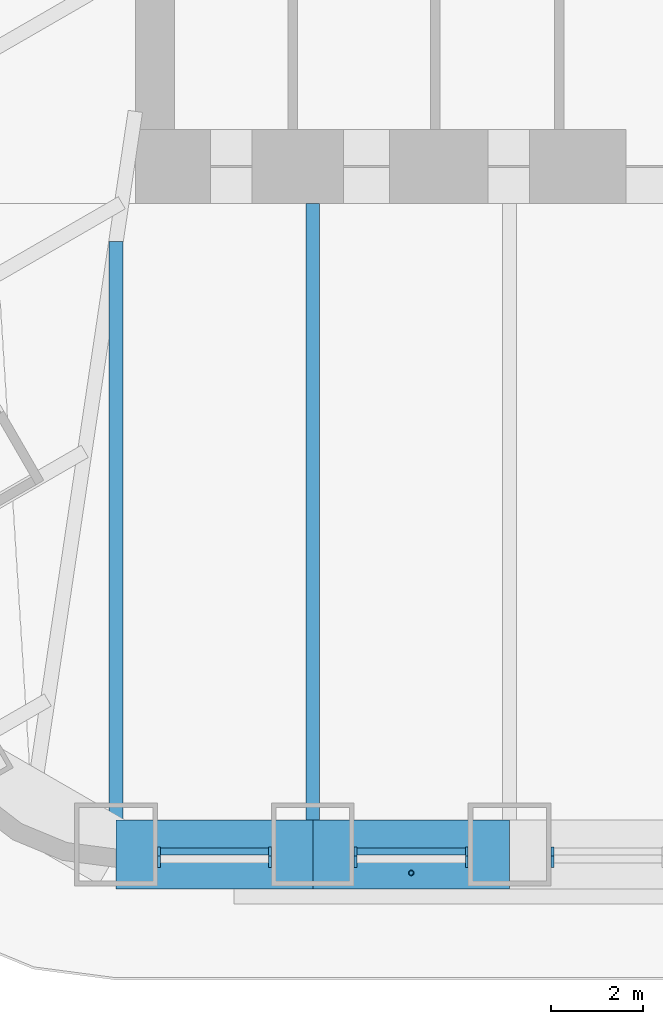
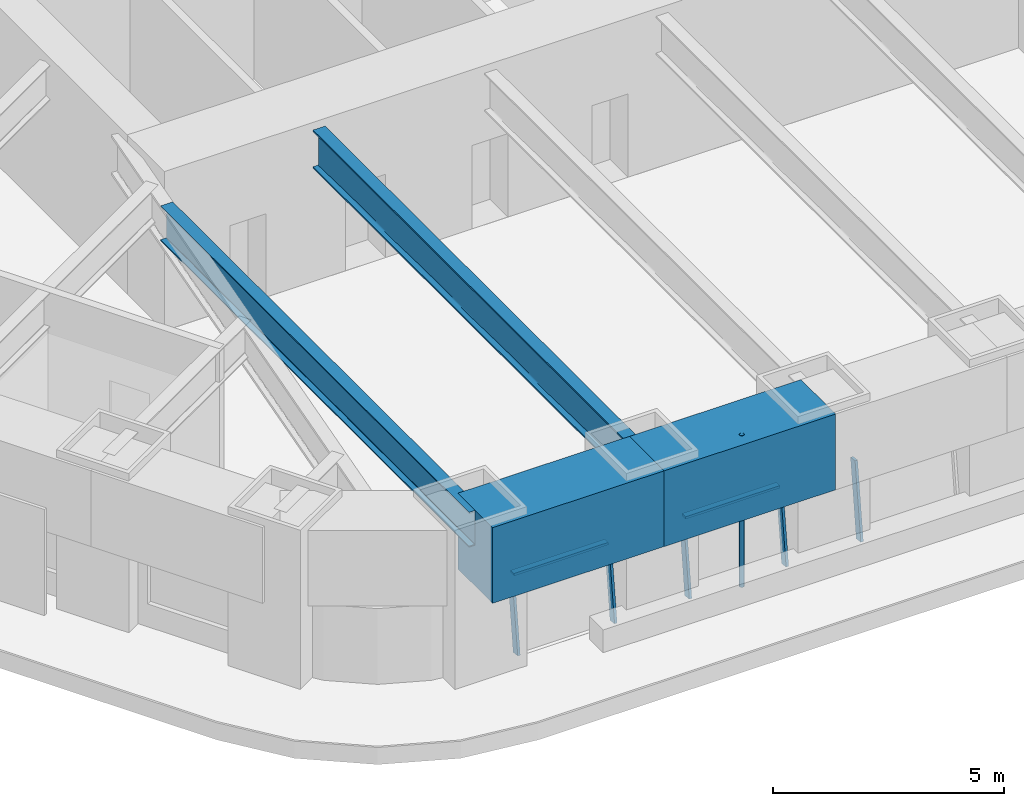
# One storey, part 2 of 18: 8 members, 4 beams, 3 elements without a shape of their own.
"""IFC4 building model written with IfcOpenShell, lengths in metres."""

from ifc_helpers import new_model, si_unit, direction, frame, origin, origin_2d, place, context, subcontext, project, spatial, rectangle, hollow_circle, i_section, extrude, material, material_profile, profile_set, type_object, element, aggregate, save


model = new_model("IFC4")

# Units and contexts
model_context = context("Model", 3, precision=1e-05, world=origin(), true_north=direction((0.0, 1.0)))
body_context = subcontext(model_context, "Body", "Model", "MODEL_VIEW")
ifc_project = project(units=[si_unit("LENGTHUNIT", "METRE"), si_unit("AREAUNIT", "SQUARE_METRE"), si_unit("VOLUMEUNIT", "CUBIC_METRE"), si_unit("PLANEANGLEUNIT", "RADIAN"), si_unit("MASSUNIT", "GRAM", prefix="KILO")], contexts=[model_context])

# Site, building, storey
site_placement = place(None, origin())
site = spatial("IfcSite", under=ifc_project, at=site_placement, CompositionType="ELEMENT")
building_placement = place(site_placement, origin())
building = spatial("IfcBuilding", under=site, at=building_placement, Name="Tarfa Lantern Tower", CompositionType="ELEMENT")
storey_placement = place(building_placement, frame((0.0, 0.0, 311.5)))
storey = spatial("IfcBuildingStorey", under=building, at=storey_placement, Name="L70", CompositionType="ELEMENT", Elevation=311.5)

# Curtain wall, members
ifc_material_1 = material(Name="Aluminium framed curtain wall", Category="aluminium")
curtain_wall_type = type_object("IfcCurtainWallType", Name="CW4 CANTED GLAZING EXECUTIVE ZONE 2000", PredefinedType="USERDEFINED", material=ifc_material_1)
curtain_wall_1_placement = place(storey_placement, origin())
curtain_wall_1 = element("IfcCurtainWall", 1, at=curtain_wall_1_placement, inside=storey, type_object=curtain_wall_type, Name="CW4 S L70", ObjectType="CURTAIN WALL", PredefinedType="USERDEFINED")
ifc_material_2 = material(Name="Aluminium mullion", Category="aluminium")
ifc_material_profile_1 = material_profile(ifc_material_2, rectangle(XDim=0.06494140625, YDim=0.199951171875, at=origin_2d()), Name="AL MULLION 65x200")
ifc_profile_set_1 = profile_set([ifc_material_profile_1], Name="Aluminium mullion")
member_type_1 = type_object("IfcMemberType", Name="CWM1 MULLION 65x200", PredefinedType="MULLION", material=ifc_profile_set_1)
member_1_placement = place(storey_placement, frame((-11.91357421875, -26.64990234375, 0.0), z_axis=(0.0, 0.124034734589, 0.992277876714), x_axis=(-1.0, 0.0, 0.0)))
member_1 = element("IfcMember", 2, at=member_1_placement, type_object=member_type_1, Name="CW4 mullion 1", PredefinedType="MULLION", context=body_context, shape_type="SweptSolid", body=[
    extrude(rectangle(XDim=0.06494140625, YDim=0.199951171875, at=origin_2d()), origin(), (0.0, 0.0, 1.0), 2.015625),
])
member_2_placement = place(storey_placement, frame((-9.49658203125, -26.64990234375, 0.0), z_axis=(0.0, 0.124034734589, 0.992277876714), x_axis=(-1.0, 0.0, 0.0)))
member_2 = element("IfcMember", 3, at=member_2_placement, type_object=member_type_1, Name="CW4 mullion 2", PredefinedType="MULLION", context=body_context, shape_type="SweptSolid", body=[
    extrude(rectangle(XDim=0.06494140625, YDim=0.199951171875, at=origin_2d()), origin(), (0.0, 0.0, 1.0), 2.015625),
])

curtain_wall_2_placement = place(storey_placement, origin())
curtain_wall_2 = element("IfcCurtainWall", 4, at=curtain_wall_2_placement, inside=storey, type_object=curtain_wall_type, Name="CW4 S L70", ObjectType="CURTAIN WALL", PredefinedType="USERDEFINED")
member_3_placement = place(storey_placement, frame((-7.631591796875, -26.64990234375, 0.0), z_axis=(0.0, 0.124034734589, 0.992277876714), x_axis=(-1.0, 0.0, 0.0)))
member_3 = element("IfcMember", 5, at=member_3_placement, type_object=member_type_1, Name="CW4 mullion 1", PredefinedType="MULLION", context=body_context, shape_type="SweptSolid", body=[
    extrude(rectangle(XDim=0.06494140625, YDim=0.199951171875, at=origin_2d()), origin(), (0.0, 0.0, 1.0), 2.015625),
])
member_4_placement = place(storey_placement, frame((-5.214599609375, -26.64990234375, 0.0), z_axis=(0.0, 0.124034734589, 0.992277876714), x_axis=(-1.0, 0.0, 0.0)))
member_4 = element("IfcMember", 6, at=member_4_placement, type_object=member_type_1, Name="CW4 mullion 2", PredefinedType="MULLION", context=body_context, shape_type="SweptSolid", body=[
    extrude(rectangle(XDim=0.06494140625, YDim=0.199951171875, at=origin_2d()), origin(), (0.0, 0.0, 1.0), 2.015625),
])

# Curtain wall, member
curtain_wall_3_placement = place(storey_placement, origin())
curtain_wall_3 = element("IfcCurtainWall", 7, at=curtain_wall_3_placement, inside=storey, type_object=curtain_wall_type, Name="CW4 S L70", ObjectType="CURTAIN WALL", PredefinedType="USERDEFINED")
member_5_placement = place(storey_placement, frame((-3.349609375, -26.64990234375, 0.0), z_axis=(0.0, 0.124034734589, 0.992277876714), x_axis=(-1.0, 0.0, 0.0)))
member_5 = element("IfcMember", 8, at=member_5_placement, type_object=member_type_1, Name="CW4 mullion 1", PredefinedType="MULLION", context=body_context, shape_type="SweptSolid", body=[
    extrude(rectangle(XDim=0.06494140625, YDim=0.199951171875, at=origin_2d()), origin(), (0.0, 0.0, 1.0), 2.015625),
])
aggregate(curtain_wall_3, [member_5])

# Member
ifc_material_3 = material(Name="Aluminium transom", Category="aluminium")
ifc_material_profile_2 = material_profile(ifc_material_3, rectangle(XDim=0.14990234375, YDim=0.06494140625, at=origin_2d()), Name="AL TRANSOM 150x65")
ifc_profile_set_2 = profile_set([ifc_material_profile_2], Name="Aluminium transom")
member_type_2 = type_object("IfcMemberType", Name="CWT1 TRANSOM 150x65", PredefinedType="USERDEFINED", material=ifc_profile_set_2)
member_6_placement = place(storey_placement, frame((-11.881103515625, -26.404052734375, 1.967529296875), z_axis=(1.0, 0.0, 0.0), x_axis=(0.0, 1.0, 0.0)))
member_6 = element("IfcMember", 9, at=member_6_placement, type_object=member_type_2, Name="CW4 transom 1.2", ObjectType="TRANSOM", PredefinedType="USERDEFINED", context=body_context, shape_type="SweptSolid", body=[
    extrude(rectangle(XDim=0.14990234375, YDim=0.06494140625, at=origin_2d()), origin(), (0.0, 0.0, 1.0), 2.35205078125),
])

aggregate(curtain_wall_1, [member_1, member_2, member_6])

member_7_placement = place(storey_placement, frame((-7.59912109375, -26.404052734375, 1.967529296875), z_axis=(1.0, 0.0, 0.0), x_axis=(0.0, 1.0, 0.0)))
member_7 = element("IfcMember", 10, at=member_7_placement, type_object=member_type_2, Name="CW4 transom 1.2", ObjectType="TRANSOM", PredefinedType="USERDEFINED", context=body_context, shape_type="SweptSolid", body=[
    extrude(rectangle(XDim=0.14990234375, YDim=0.06494140625, at=origin_2d()), origin(), (0.0, 0.0, 1.0), 2.35205078125),
])

aggregate(curtain_wall_2, [member_3, member_4, member_7])

# Beams
ifc_material_4 = material(Name="Concrete C80/95", Category="concrete")
ifc_material_profile_3 = material_profile(ifc_material_4, rectangle(XDim=1.5, YDim=2.0, at=origin_2d()), Name="RC 1500x2000")
ifc_profile_set_3 = profile_set([ifc_material_profile_3], Name="Concrete C80/95")
beam_type_1 = type_object("IfcBeamType", Name="RB3 RC 1500x2000", PredefinedType="BEAM", material=ifc_profile_set_3)
for number, where, z_axis, x_axis, name in (
    (11, (-12.845947265625, -26.469970703125, 3.0), (1.0, 0.0, 0.0), (0.0, 1.0, 0.0), "Edge beam S0"),
    (12, (-8.56396484375, -26.469970703125, 3.0), (1.0, 0.0, 0.0), (0.0, 1.0, 0.0), "Edge beam S1"),
):
    element("IfcBeam", number, at=place(storey_placement, frame(where, z_axis=z_axis, x_axis=x_axis)), inside=storey, type_object=beam_type_1, Name=name, PredefinedType="BEAM", context=body_context, shape_type="SweptSolid", body=[
        extrude(rectangle(XDim=1.5, YDim=2.0, at=origin_2d()), origin(), (0.0, 0.0, 1.0), 4.281982421875),
    ])

# Member
ifc_material_5 = material(Name="Steel S355", Category="steel")
ifc_material_profile_4 = material_profile(ifc_material_5, hollow_circle(Radius=0.05712890625, WallThickness=0.00634765625, at=origin_2d()), Name="CHS114.3x6.3")
ifc_profile_set_4 = profile_set([ifc_material_profile_4], Name="Steel S355")
member_type_3 = type_object("IfcMemberType", Name="TR1 GREEN WALL TRELLIS CHS114.3x6.3", PredefinedType="USERDEFINED", material=ifc_profile_set_4)
member_8_placement = place(storey_placement, frame((-6.423095703125, -26.8701171875, 0.0), z_axis=(0.0, 0.0, 1.0), x_axis=(1.0, 0.0, 0.0)))
element("IfcMember", 13, at=member_8_placement, inside=storey, type_object=member_type_3, Name="Trellis post S 1", ObjectType="TRELLIS", PredefinedType="USERDEFINED", context=body_context, shape_type="SweptSolid", body=[
    extrude(hollow_circle(Radius=0.05712890625, WallThickness=0.00634765625, at=origin_2d()), origin(), (0.0, 0.0, 1.0), 4.0),
])

# Beams
ifc_material_6 = material(Name="Steel S460M", Category="steel")
ifc_material_profile_5 = material_profile(ifc_material_6, i_section(OverallWidth=0.302001953125, OverallDepth=1.008056640625, WebThickness=0.02099609375, FlangeThickness=0.0400390625, FilletRadius=0.030029296875, at=origin_2d()), Name="UB1016x305x349")
ifc_profile_set_5 = profile_set([ifc_material_profile_5], Name="Steel S460M")
beam_type_2 = type_object("IfcBeamType", Name="UB1016x305x349", PredefinedType="BEAM", material=ifc_profile_set_5)
beam_1_placement = place(storey_placement, frame((-8.56396484375, -26.469970703125, 3.495849609375), z_axis=(0.0, 1.0, 0.0), x_axis=(-1.0, 0.0, 0.0)))
element("IfcBeam", 14, at=beam_1_placement, inside=storey, type_object=beam_type_2, Name="Floor beam S1", PredefinedType="BEAM", context=body_context, shape_type="SweptSolid", body=[
    extrude(i_section(OverallWidth=0.302001953125, OverallDepth=1.008056640625, WebThickness=0.02099609375, FlangeThickness=0.0400390625, FilletRadius=0.030029296875, at=origin_2d()), origin(), (0.0, 0.0, 1.0), 14.169921875),
])
ifc_material_profile_6 = material_profile(ifc_material_6, i_section(OverallWidth=0.305419921875, OverallDepth=0.91845703125, WebThickness=0.017333984375, FlangeThickness=0.02783203125, FilletRadius=0.01904296875, at=origin_2d()), Name="UB914x305x253")
ifc_profile_set_6 = profile_set([ifc_material_profile_6], Name="Steel S460M")
beam_type_3 = type_object("IfcBeamType", Name="UB914x305x253", PredefinedType="BEAM", material=ifc_profile_set_6)
beam_2_placement = place(storey_placement, frame((-12.845947265625, -26.469970703125, 3.540771484375), z_axis=(0.0, 1.0, 0.0), x_axis=(-1.0, 0.0, 0.0)))
element("IfcBeam", 15, at=beam_2_placement, inside=storey, type_object=beam_type_3, Name="Floor beam S0", PredefinedType="BEAM", context=body_context, shape_type="SweptSolid", body=[
    extrude(i_section(OverallWidth=0.305419921875, OverallDepth=0.91845703125, WebThickness=0.017333984375, FlangeThickness=0.02783203125, FilletRadius=0.01904296875, at=origin_2d()), origin(), (0.0, 0.0, 1.0), 13.33935546875),
])

save(model, "model.ifc")
